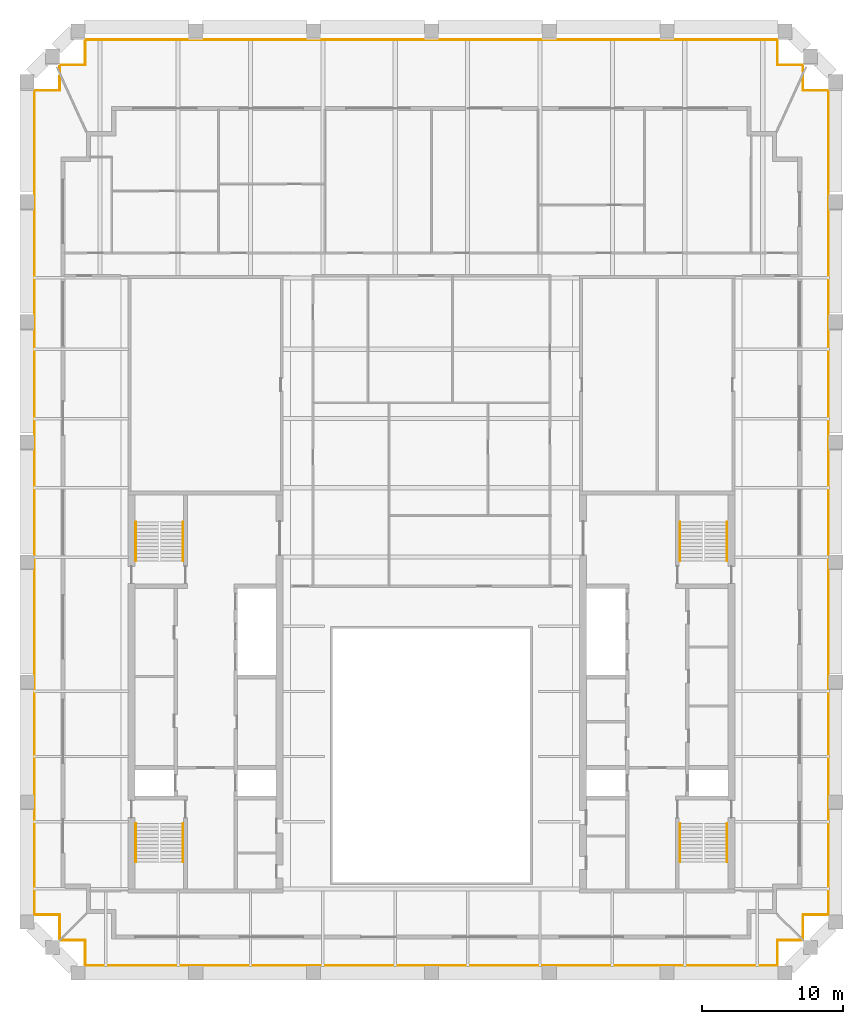
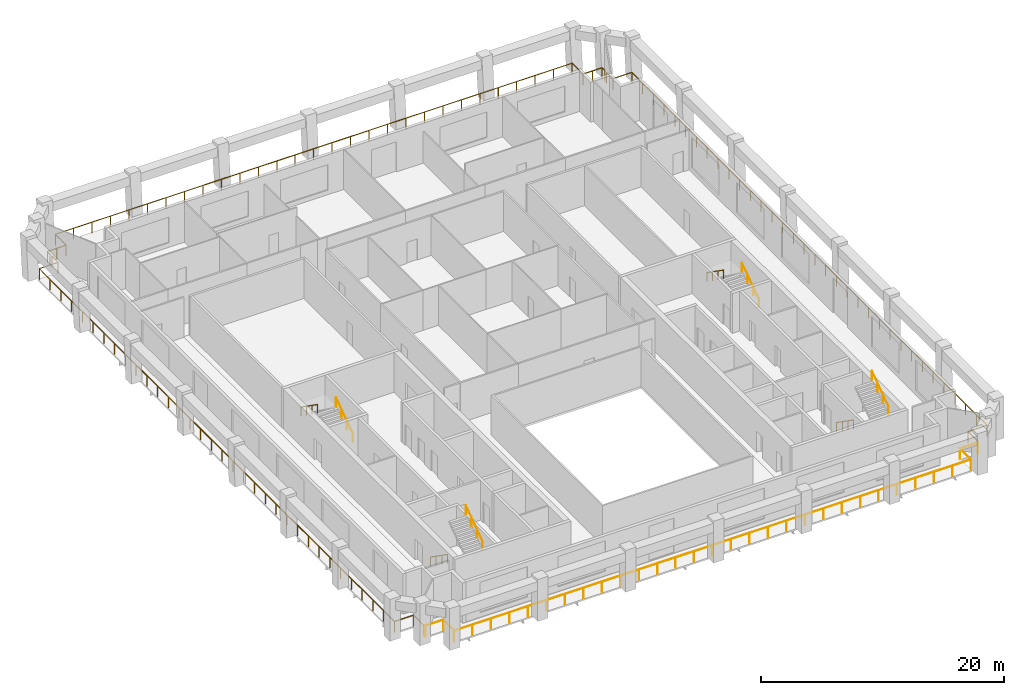
# One storey, part 8 of 8: 12 railings.
"""IFC4 building model written with IfcOpenShell, lengths in metres."""

from ifc_helpers import new_model, si_unit, direction, frame, origin, origin_2d, place, context, subcontext, project, spatial, circle, extrude, material, type_object, element, save


model = new_model("IFC4")

# Units and contexts
model_context = context("Model", 3, precision=1e-05, world=origin(), true_north=direction((0.0, 1.0)))
body_context = subcontext(model_context, "Body", "Model", "MODEL_VIEW")
ifc_project = project(units=[si_unit("LENGTHUNIT", "METRE"), si_unit("AREAUNIT", "SQUARE_METRE"), si_unit("VOLUMEUNIT", "CUBIC_METRE"), si_unit("PLANEANGLEUNIT", "RADIAN"), si_unit("MASSUNIT", "GRAM", prefix="KILO")], contexts=[model_context])

# Site, building, storey
site_placement = place(None, origin())
site = spatial("IfcSite", under=ifc_project, at=site_placement, CompositionType="ELEMENT")
building_placement = place(site_placement, origin())
building = spatial("IfcBuilding", under=site, at=building_placement, Name="Ogive Exchange Tower", CompositionType="ELEMENT")
storey_placement = place(building_placement, frame((0.0, 0.0, 334.199951171875)))
storey = spatial("IfcBuildingStorey", under=building, at=storey_placement, Name="L73", CompositionType="ELEMENT", Elevation=334.199951171875)

# Railings
ifc_material_1 = material(Name="Stainless steel 316", Category="steel")
railing_type_1 = type_object("IfcRailingType", Name="Guard 1100 stainless steel and glass", PredefinedType="GUARDRAIL", material=ifc_material_1)
railing_1_placement = place(storey_placement, frame((26.238037109375, -6.080078125, -0.050048828125)))
element("IfcRailing", 1, at=railing_1_placement, inside=storey, type_object=railing_type_1, Name="Loggia guard 1", PredefinedType="GUARDRAIL", context=body_context, shape_type="SweptSolid", body=[
    extrude(circle(Radius=0.02392578125, at=origin_2d()), frame((0.0, 0.0, 1.076171875), z_axis=(-1.0, 0.0, 0.0), x_axis=(0.0, -1.0, 0.0)), (0.0, 0.0, 1.0), 1.7080078125),
    extrude(circle(Radius=0.02392578125, at=origin_2d()), frame((-1.7080078125, 0.0, 1.076171875), z_axis=(0.0, -1.0, 0.0), x_axis=(1.0, 0.0, 0.0)), (0.0, 0.0, 1.0), 1.7998046875),
    extrude(circle(Radius=0.02392578125, at=origin_2d()), frame((-1.7080078125, -1.7998046875, 1.076171875), z_axis=(-1.0, 0.0, 0.0), x_axis=(0.0, -1.0, 0.0)), (0.0, 0.0, 1.0), 49.06005859375),
    extrude(circle(Radius=0.02392578125, at=origin_2d()), frame((-50.76806640625, -1.7998046875, 1.076171875), z_axis=(0.0, 1.0, 0.0), x_axis=(-1.0, 0.0, 0.0)), (0.0, 0.0, 1.0), 1.7998046875),
    extrude(circle(Radius=0.02392578125, at=origin_2d()), frame((-50.76806640625, 0.0, 1.076171875), z_axis=(-1.0, 0.0, 0.0), x_axis=(0.0, -1.0, 0.0)), (0.0, 0.0, 1.0), 1.7080078125),
    extrude(circle(Radius=0.02099609375, at=origin_2d()), origin(), (0.0, 0.0, 1.0), 1.052001953125),
    extrude(circle(Radius=0.02099609375, at=origin_2d()), frame((-1.7080078125, 0.0, 0.0)), (0.0, 0.0, 1.0), 1.052001953125),
    extrude(circle(Radius=0.02099609375, at=origin_2d()), frame((-1.7080078125, -1.7998046875, 0.0)), (0.0, 0.0, 1.0), 1.052001953125),
    extrude(circle(Radius=0.02099609375, at=origin_2d()), frame((-3.460205078125, -1.7998046875, 0.0)), (0.0, 0.0, 1.0), 1.052001953125),
    extrude(circle(Radius=0.02099609375, at=origin_2d()), frame((-5.21240234375, -1.7998046875, 0.0)), (0.0, 0.0, 1.0), 1.052001953125),
    extrude(circle(Radius=0.02099609375, at=origin_2d()), frame((-6.96435546875, -1.7998046875, 0.0)), (0.0, 0.0, 1.0), 1.052001953125),
    extrude(circle(Radius=0.02099609375, at=origin_2d()), frame((-8.716552734375, -1.7998046875, 0.0)), (0.0, 0.0, 1.0), 1.052001953125),
    extrude(circle(Radius=0.02099609375, at=origin_2d()), frame((-10.46875, -1.7998046875, 0.0)), (0.0, 0.0, 1.0), 1.052001953125),
    extrude(circle(Radius=0.02099609375, at=origin_2d()), frame((-12.220947265625, -1.7998046875, 0.0)), (0.0, 0.0, 1.0), 1.052001953125),
    extrude(circle(Radius=0.02099609375, at=origin_2d()), frame((-13.97314453125, -1.7998046875, 0.0)), (0.0, 0.0, 1.0), 1.052001953125),
    extrude(circle(Radius=0.02099609375, at=origin_2d()), frame((-15.72509765625, -1.7998046875, 0.0)), (0.0, 0.0, 1.0), 1.052001953125),
    extrude(circle(Radius=0.02099609375, at=origin_2d()), frame((-17.477294921875, -1.7998046875, 0.0)), (0.0, 0.0, 1.0), 1.052001953125),
    extrude(circle(Radius=0.02099609375, at=origin_2d()), frame((-19.2294921875, -1.7998046875, 0.0)), (0.0, 0.0, 1.0), 1.052001953125),
    extrude(circle(Radius=0.02099609375, at=origin_2d()), frame((-20.981689453125, -1.7998046875, 0.0)), (0.0, 0.0, 1.0), 1.052001953125),
    extrude(circle(Radius=0.02099609375, at=origin_2d()), frame((-22.733642578125, -1.7998046875, 0.0)), (0.0, 0.0, 1.0), 1.052001953125),
    extrude(circle(Radius=0.02099609375, at=origin_2d()), frame((-24.48583984375, -1.7998046875, 0.0)), (0.0, 0.0, 1.0), 1.052001953125),
    extrude(circle(Radius=0.02099609375, at=origin_2d()), frame((-26.238037109375, -1.7998046875, 0.0)), (0.0, 0.0, 1.0), 1.052001953125),
    extrude(circle(Radius=0.02099609375, at=origin_2d()), frame((-27.990234375, -1.7998046875, 0.0)), (0.0, 0.0, 1.0), 1.052001953125),
    extrude(circle(Radius=0.02099609375, at=origin_2d()), frame((-29.742431640625, -1.7998046875, 0.0)), (0.0, 0.0, 1.0), 1.052001953125),
    extrude(circle(Radius=0.02099609375, at=origin_2d()), frame((-31.494384765625, -1.7998046875, 0.0)), (0.0, 0.0, 1.0), 1.052001953125),
    extrude(circle(Radius=0.02099609375, at=origin_2d()), frame((-33.24658203125, -1.7998046875, 0.0)), (0.0, 0.0, 1.0), 1.052001953125),
    extrude(circle(Radius=0.02099609375, at=origin_2d()), frame((-34.998779296875, -1.7998046875, 0.0)), (0.0, 0.0, 1.0), 1.052001953125),
    extrude(circle(Radius=0.02099609375, at=origin_2d()), frame((-36.7509765625, -1.7998046875, 0.0)), (0.0, 0.0, 1.0), 1.052001953125),
    extrude(circle(Radius=0.02099609375, at=origin_2d()), frame((-38.5029296875, -1.7998046875, 0.0)), (0.0, 0.0, 1.0), 1.052001953125),
    extrude(circle(Radius=0.02099609375, at=origin_2d()), frame((-40.255126953125, -1.7998046875, 0.0)), (0.0, 0.0, 1.0), 1.052001953125),
    extrude(circle(Radius=0.02099609375, at=origin_2d()), frame((-42.00732421875, -1.7998046875, 0.0)), (0.0, 0.0, 1.0), 1.052001953125),
    extrude(circle(Radius=0.02099609375, at=origin_2d()), frame((-43.759521484375, -1.7998046875, 0.0)), (0.0, 0.0, 1.0), 1.052001953125),
    extrude(circle(Radius=0.02099609375, at=origin_2d()), frame((-45.51171875, -1.7998046875, 0.0)), (0.0, 0.0, 1.0), 1.052001953125),
    extrude(circle(Radius=0.02099609375, at=origin_2d()), frame((-47.263671875, -1.7998046875, 0.0)), (0.0, 0.0, 1.0), 1.052001953125),
    extrude(circle(Radius=0.02099609375, at=origin_2d()), frame((-49.015869140625, -1.7998046875, 0.0)), (0.0, 0.0, 1.0), 1.052001953125),
    extrude(circle(Radius=0.02099609375, at=origin_2d()), frame((-50.76806640625, -1.7998046875, 0.0)), (0.0, 0.0, 1.0), 1.052001953125),
    extrude(circle(Radius=0.02099609375, at=origin_2d()), frame((-50.76806640625, 0.0, 0.0)), (0.0, 0.0, 1.0), 1.052001953125),
    extrude(circle(Radius=0.02099609375, at=origin_2d()), frame((-52.47607421875, 0.0, 0.0)), (0.0, 0.0, 1.0), 1.052001953125),
])
railing_2_placement = place(storey_placement, frame((-26.330078125, -5.988037109375, -0.050048828125)))
element("IfcRailing", 2, at=railing_2_placement, inside=storey, type_object=railing_type_1, Name="Loggia guard 2", PredefinedType="GUARDRAIL", context=body_context, shape_type="SweptSolid", body=[
    extrude(circle(Radius=0.02392578125, at=origin_2d()), frame((0.0, 0.0, 1.076171875), z_axis=(0.0, 1.0, 0.0), x_axis=(-1.0, 0.0, 0.0)), (0.0, 0.0, 1.0), 1.7080078125),
    extrude(circle(Radius=0.02392578125, at=origin_2d()), frame((0.0, 1.7080078125, 1.076171875), z_axis=(-1.0, 0.0, 0.0), x_axis=(0.0, -1.0, 0.0)), (0.0, 0.0, 1.0), 1.7998046875),
    extrude(circle(Radius=0.02392578125, at=origin_2d()), frame((-1.7998046875, 1.7080078125, 1.076171875), z_axis=(0.0, 1.0, 0.0), x_axis=(-1.0, 0.0, 0.0)), (0.0, 0.0, 1.0), 58.396484375),
    extrude(circle(Radius=0.02392578125, at=origin_2d()), frame((-1.7998046875, 60.1044921875, 1.076171875), z_axis=(1.0, 0.0, 0.0), x_axis=(0.0, 1.0, 0.0)), (0.0, 0.0, 1.0), 1.7998046875),
    extrude(circle(Radius=0.02392578125, at=origin_2d()), frame((0.0, 60.1044921875, 1.076171875), z_axis=(0.0, 1.0, 0.0), x_axis=(-1.0, 0.0, 0.0)), (0.0, 0.0, 1.0), 1.029296875),
    extrude(circle(Radius=0.02099609375, at=origin_2d()), origin(), (0.0, 0.0, 1.0), 1.052001953125),
    extrude(circle(Radius=0.02099609375, at=origin_2d()), frame((0.0, 1.7080078125, 0.0)), (0.0, 0.0, 1.0), 1.052001953125),
    extrude(circle(Radius=0.02099609375, at=origin_2d()), frame((-1.7998046875, 1.7080078125, 0.0)), (0.0, 0.0, 1.0), 1.052001953125),
    extrude(circle(Radius=0.02099609375, at=origin_2d()), frame((-1.7998046875, 3.4775390625, 0.0)), (0.0, 0.0, 1.0), 1.052001953125),
    extrude(circle(Radius=0.02099609375, at=origin_2d()), frame((-1.7998046875, 5.2470703125, 0.0)), (0.0, 0.0, 1.0), 1.052001953125),
    extrude(circle(Radius=0.02099609375, at=origin_2d()), frame((-1.7998046875, 7.016845703125, 0.0)), (0.0, 0.0, 1.0), 1.052001953125),
    extrude(circle(Radius=0.02099609375, at=origin_2d()), frame((-1.7998046875, 8.786376953125, 0.0)), (0.0, 0.0, 1.0), 1.052001953125),
    extrude(circle(Radius=0.02099609375, at=origin_2d()), frame((-1.7998046875, 10.555908203125, 0.0)), (0.0, 0.0, 1.0), 1.052001953125),
    extrude(circle(Radius=0.02099609375, at=origin_2d()), frame((-1.7998046875, 12.325439453125, 0.0)), (0.0, 0.0, 1.0), 1.052001953125),
    extrude(circle(Radius=0.02099609375, at=origin_2d()), frame((-1.7998046875, 14.09521484375, 0.0)), (0.0, 0.0, 1.0), 1.052001953125),
    extrude(circle(Radius=0.02099609375, at=origin_2d()), frame((-1.7998046875, 15.86474609375, 0.0)), (0.0, 0.0, 1.0), 1.052001953125),
    extrude(circle(Radius=0.02099609375, at=origin_2d()), frame((-1.7998046875, 17.63427734375, 0.0)), (0.0, 0.0, 1.0), 1.052001953125),
    extrude(circle(Radius=0.02099609375, at=origin_2d()), frame((-1.7998046875, 19.40380859375, 0.0)), (0.0, 0.0, 1.0), 1.052001953125),
    extrude(circle(Radius=0.02099609375, at=origin_2d()), frame((-1.7998046875, 21.173583984375, 0.0)), (0.0, 0.0, 1.0), 1.052001953125),
    extrude(circle(Radius=0.02099609375, at=origin_2d()), frame((-1.7998046875, 22.943115234375, 0.0)), (0.0, 0.0, 1.0), 1.052001953125),
    extrude(circle(Radius=0.02099609375, at=origin_2d()), frame((-1.7998046875, 24.712646484375, 0.0)), (0.0, 0.0, 1.0), 1.052001953125),
    extrude(circle(Radius=0.02099609375, at=origin_2d()), frame((-1.7998046875, 26.482177734375, 0.0)), (0.0, 0.0, 1.0), 1.052001953125),
    extrude(circle(Radius=0.02099609375, at=origin_2d()), frame((-1.7998046875, 28.251953125, 0.0)), (0.0, 0.0, 1.0), 1.052001953125),
    extrude(circle(Radius=0.02099609375, at=origin_2d()), frame((-1.7998046875, 30.021484375, 0.0)), (0.0, 0.0, 1.0), 1.052001953125),
    extrude(circle(Radius=0.02099609375, at=origin_2d()), frame((-1.7998046875, 31.791015625, 0.0)), (0.0, 0.0, 1.0), 1.052001953125),
    extrude(circle(Radius=0.02099609375, at=origin_2d()), frame((-1.7998046875, 33.560546875, 0.0)), (0.0, 0.0, 1.0), 1.052001953125),
    extrude(circle(Radius=0.02099609375, at=origin_2d()), frame((-1.7998046875, 35.330322265625, 0.0)), (0.0, 0.0, 1.0), 1.052001953125),
    extrude(circle(Radius=0.02099609375, at=origin_2d()), frame((-1.7998046875, 37.099853515625, 0.0)), (0.0, 0.0, 1.0), 1.052001953125),
    extrude(circle(Radius=0.02099609375, at=origin_2d()), frame((-1.7998046875, 38.869384765625, 0.0)), (0.0, 0.0, 1.0), 1.052001953125),
    extrude(circle(Radius=0.02099609375, at=origin_2d()), frame((-1.7998046875, 40.638916015625, 0.0)), (0.0, 0.0, 1.0), 1.052001953125),
    extrude(circle(Radius=0.02099609375, at=origin_2d()), frame((-1.7998046875, 42.40869140625, 0.0)), (0.0, 0.0, 1.0), 1.052001953125),
    extrude(circle(Radius=0.02099609375, at=origin_2d()), frame((-1.7998046875, 44.17822265625, 0.0)), (0.0, 0.0, 1.0), 1.052001953125),
    extrude(circle(Radius=0.02099609375, at=origin_2d()), frame((-1.7998046875, 45.94775390625, 0.0)), (0.0, 0.0, 1.0), 1.052001953125),
    extrude(circle(Radius=0.02099609375, at=origin_2d()), frame((-1.7998046875, 47.71728515625, 0.0)), (0.0, 0.0, 1.0), 1.052001953125),
    extrude(circle(Radius=0.02099609375, at=origin_2d()), frame((-1.7998046875, 49.487060546875, 0.0)), (0.0, 0.0, 1.0), 1.052001953125),
    extrude(circle(Radius=0.02099609375, at=origin_2d()), frame((-1.7998046875, 51.256591796875, 0.0)), (0.0, 0.0, 1.0), 1.052001953125),
    extrude(circle(Radius=0.02099609375, at=origin_2d()), frame((-1.7998046875, 53.026123046875, 0.0)), (0.0, 0.0, 1.0), 1.052001953125),
    extrude(circle(Radius=0.02099609375, at=origin_2d()), frame((-1.7998046875, 54.795654296875, 0.0)), (0.0, 0.0, 1.0), 1.052001953125),
    extrude(circle(Radius=0.02099609375, at=origin_2d()), frame((-1.7998046875, 56.5654296875, 0.0)), (0.0, 0.0, 1.0), 1.052001953125),
    extrude(circle(Radius=0.02099609375, at=origin_2d()), frame((-1.7998046875, 58.3349609375, 0.0)), (0.0, 0.0, 1.0), 1.052001953125),
    extrude(circle(Radius=0.02099609375, at=origin_2d()), frame((-1.7998046875, 60.1044921875, 0.0)), (0.0, 0.0, 1.0), 1.052001953125),
    extrude(circle(Radius=0.02099609375, at=origin_2d()), frame((0.0, 60.1044921875, 0.0)), (0.0, 0.0, 1.0), 1.052001953125),
    extrude(circle(Radius=0.02099609375, at=origin_2d()), frame((0.0, 61.1337890625, 0.0)), (0.0, 0.0, 1.0), 1.052001953125),
])
railing_3_placement = place(storey_placement, frame((-26.330078125, 55.457763671875, -0.050048828125)))
element("IfcRailing", 3, at=railing_3_placement, inside=storey, type_object=railing_type_1, Name="Loggia guard 3", PredefinedType="GUARDRAIL", context=body_context, shape_type="SweptSolid", body=[
    extrude(circle(Radius=0.02392578125, at=origin_2d()), frame((0.0, 0.0, 1.076171875), z_axis=(0.0, 1.0, 0.0), x_axis=(-1.0, 0.0, 0.0)), (0.0, 0.0, 1.0), 0.458740234375),
    extrude(circle(Radius=0.02392578125, at=origin_2d()), frame((0.0, 0.458740234375, 1.076171875), z_axis=(1.0, 0.0, 0.0), x_axis=(0.0, 1.0, 0.0)), (0.0, 0.0, 1.0), 1.800048828125),
    extrude(circle(Radius=0.02392578125, at=origin_2d()), frame((1.800048828125, 0.458740234375, 1.076171875), z_axis=(0.0, 1.0, 0.0), x_axis=(-1.0, 0.0, 0.0)), (0.0, 0.0, 1.0), 1.7998046875),
    extrude(circle(Radius=0.02392578125, at=origin_2d()), frame((1.800048828125, 2.258544921875, 1.076171875), z_axis=(1.0, 0.0, 0.0), x_axis=(0.0, 1.0, 0.0)), (0.0, 0.0, 1.0), 49.06005859375),
    extrude(circle(Radius=0.02392578125, at=origin_2d()), frame((50.860107421875, 2.258544921875, 1.076171875), z_axis=(0.0, -1.0, 0.0), x_axis=(1.0, 0.0, 0.0)), (0.0, 0.0, 1.0), 1.7998046875),
    extrude(circle(Radius=0.02392578125, at=origin_2d()), frame((50.860107421875, 0.458740234375, 1.076171875), z_axis=(1.0, 0.0, 0.0), x_axis=(0.0, 1.0, 0.0)), (0.0, 0.0, 1.0), 1.800048828125),
    extrude(circle(Radius=0.02392578125, at=origin_2d()), frame((52.66015625, 0.458740234375, 1.076171875), z_axis=(0.0, -1.0, 0.0), x_axis=(1.0, 0.0, 0.0)), (0.0, 0.0, 1.0), 0.458740234375),
    extrude(circle(Radius=0.02099609375, at=origin_2d()), origin(), (0.0, 0.0, 1.0), 1.052001953125),
    extrude(circle(Radius=0.02099609375, at=origin_2d()), frame((0.0, 0.458740234375, 0.0)), (0.0, 0.0, 1.0), 1.052001953125),
    extrude(circle(Radius=0.02099609375, at=origin_2d()), frame((0.89990234375, 0.458740234375, 0.0)), (0.0, 0.0, 1.0), 1.052001953125),
    extrude(circle(Radius=0.02099609375, at=origin_2d()), frame((1.800048828125, 0.458740234375, 0.0)), (0.0, 0.0, 1.0), 1.052001953125),
    extrude(circle(Radius=0.02099609375, at=origin_2d()), frame((1.800048828125, 2.258544921875, 0.0)), (0.0, 0.0, 1.0), 1.052001953125),
    extrude(circle(Radius=0.02099609375, at=origin_2d()), frame((3.55224609375, 2.258544921875, 0.0)), (0.0, 0.0, 1.0), 1.052001953125),
    extrude(circle(Radius=0.02099609375, at=origin_2d()), frame((5.304443359375, 2.258544921875, 0.0)), (0.0, 0.0, 1.0), 1.052001953125),
    extrude(circle(Radius=0.02099609375, at=origin_2d()), frame((7.056396484375, 2.258544921875, 0.0)), (0.0, 0.0, 1.0), 1.052001953125),
    extrude(circle(Radius=0.02099609375, at=origin_2d()), frame((8.80859375, 2.258544921875, 0.0)), (0.0, 0.0, 1.0), 1.052001953125),
    extrude(circle(Radius=0.02099609375, at=origin_2d()), frame((10.560791015625, 2.258544921875, 0.0)), (0.0, 0.0, 1.0), 1.052001953125),
    extrude(circle(Radius=0.02099609375, at=origin_2d()), frame((12.31298828125, 2.258544921875, 0.0)), (0.0, 0.0, 1.0), 1.052001953125),
    extrude(circle(Radius=0.02099609375, at=origin_2d()), frame((14.06494140625, 2.258544921875, 0.0)), (0.0, 0.0, 1.0), 1.052001953125),
    extrude(circle(Radius=0.02099609375, at=origin_2d()), frame((15.817138671875, 2.258544921875, 0.0)), (0.0, 0.0, 1.0), 1.052001953125),
    extrude(circle(Radius=0.02099609375, at=origin_2d()), frame((17.5693359375, 2.258544921875, 0.0)), (0.0, 0.0, 1.0), 1.052001953125),
    extrude(circle(Radius=0.02099609375, at=origin_2d()), frame((19.321533203125, 2.258544921875, 0.0)), (0.0, 0.0, 1.0), 1.052001953125),
    extrude(circle(Radius=0.02099609375, at=origin_2d()), frame((21.07373046875, 2.258544921875, 0.0)), (0.0, 0.0, 1.0), 1.052001953125),
    extrude(circle(Radius=0.02099609375, at=origin_2d()), frame((22.82568359375, 2.258544921875, 0.0)), (0.0, 0.0, 1.0), 1.052001953125),
    extrude(circle(Radius=0.02099609375, at=origin_2d()), frame((24.577880859375, 2.258544921875, 0.0)), (0.0, 0.0, 1.0), 1.052001953125),
    extrude(circle(Radius=0.02099609375, at=origin_2d()), frame((26.330078125, 2.258544921875, 0.0)), (0.0, 0.0, 1.0), 1.052001953125),
    extrude(circle(Radius=0.02099609375, at=origin_2d()), frame((28.082275390625, 2.258544921875, 0.0)), (0.0, 0.0, 1.0), 1.052001953125),
    extrude(circle(Radius=0.02099609375, at=origin_2d()), frame((29.83447265625, 2.258544921875, 0.0)), (0.0, 0.0, 1.0), 1.052001953125),
    extrude(circle(Radius=0.02099609375, at=origin_2d()), frame((31.58642578125, 2.258544921875, 0.0)), (0.0, 0.0, 1.0), 1.052001953125),
    extrude(circle(Radius=0.02099609375, at=origin_2d()), frame((33.338623046875, 2.258544921875, 0.0)), (0.0, 0.0, 1.0), 1.052001953125),
    extrude(circle(Radius=0.02099609375, at=origin_2d()), frame((35.0908203125, 2.258544921875, 0.0)), (0.0, 0.0, 1.0), 1.052001953125),
    extrude(circle(Radius=0.02099609375, at=origin_2d()), frame((36.843017578125, 2.258544921875, 0.0)), (0.0, 0.0, 1.0), 1.052001953125),
    extrude(circle(Radius=0.02099609375, at=origin_2d()), frame((38.59521484375, 2.258544921875, 0.0)), (0.0, 0.0, 1.0), 1.052001953125),
    extrude(circle(Radius=0.02099609375, at=origin_2d()), frame((40.34716796875, 2.258544921875, 0.0)), (0.0, 0.0, 1.0), 1.052001953125),
    extrude(circle(Radius=0.02099609375, at=origin_2d()), frame((42.099365234375, 2.258544921875, 0.0)), (0.0, 0.0, 1.0), 1.052001953125),
    extrude(circle(Radius=0.02099609375, at=origin_2d()), frame((43.8515625, 2.258544921875, 0.0)), (0.0, 0.0, 1.0), 1.052001953125),
    extrude(circle(Radius=0.02099609375, at=origin_2d()), frame((45.603759765625, 2.258544921875, 0.0)), (0.0, 0.0, 1.0), 1.052001953125),
    extrude(circle(Radius=0.02099609375, at=origin_2d()), frame((47.355712890625, 2.258544921875, 0.0)), (0.0, 0.0, 1.0), 1.052001953125),
    extrude(circle(Radius=0.02099609375, at=origin_2d()), frame((49.10791015625, 2.258544921875, 0.0)), (0.0, 0.0, 1.0), 1.052001953125),
    extrude(circle(Radius=0.02099609375, at=origin_2d()), frame((50.860107421875, 2.258544921875, 0.0)), (0.0, 0.0, 1.0), 1.052001953125),
    extrude(circle(Radius=0.02099609375, at=origin_2d()), frame((50.860107421875, 0.458740234375, 0.0)), (0.0, 0.0, 1.0), 1.052001953125),
    extrude(circle(Radius=0.02099609375, at=origin_2d()), frame((51.76025390625, 0.458740234375, 0.0)), (0.0, 0.0, 1.0), 1.052001953125),
    extrude(circle(Radius=0.02099609375, at=origin_2d()), frame((52.66015625, 0.458740234375, 0.0)), (0.0, 0.0, 1.0), 1.052001953125),
    extrude(circle(Radius=0.02099609375, at=origin_2d()), frame((52.66015625, 0.0, 0.0)), (0.0, 0.0, 1.0), 1.052001953125),
])
railing_4_placement = place(storey_placement, frame((26.330078125, 55.145751953125, -0.050048828125)))
element("IfcRailing", 4, at=railing_4_placement, inside=storey, type_object=railing_type_1, Name="Loggia guard 4", PredefinedType="GUARDRAIL", context=body_context, shape_type="SweptSolid", body=[
    extrude(circle(Radius=0.02392578125, at=origin_2d()), frame((0.0, 0.0, 1.076171875), z_axis=(0.0, -1.0, 0.0), x_axis=(1.0, 0.0, 0.0)), (0.0, 0.0, 1.0), 1.029296875),
    extrude(circle(Radius=0.02392578125, at=origin_2d()), frame((0.0, -1.029296875, 1.076171875), z_axis=(1.0, 0.0, 0.0), x_axis=(0.0, 1.0, 0.0)), (0.0, 0.0, 1.0), 1.7998046875),
    extrude(circle(Radius=0.02392578125, at=origin_2d()), frame((1.7998046875, -1.029296875, 1.076171875), z_axis=(0.0, -1.0, 0.0), x_axis=(1.0, 0.0, 0.0)), (0.0, 0.0, 1.0), 58.396484375),
    extrude(circle(Radius=0.02392578125, at=origin_2d()), frame((1.7998046875, -59.42578125, 1.076171875), z_axis=(-1.0, 0.0, 0.0), x_axis=(0.0, -1.0, 0.0)), (0.0, 0.0, 1.0), 1.7998046875),
    extrude(circle(Radius=0.02392578125, at=origin_2d()), frame((0.0, -59.42578125, 1.076171875), z_axis=(0.0, -1.0, 0.0), x_axis=(1.0, 0.0, 0.0)), (0.0, 0.0, 1.0), 1.7080078125),
    extrude(circle(Radius=0.02099609375, at=origin_2d()), origin(), (0.0, 0.0, 1.0), 1.052001953125),
    extrude(circle(Radius=0.02099609375, at=origin_2d()), frame((0.0, -1.029296875, 0.0)), (0.0, 0.0, 1.0), 1.052001953125),
    extrude(circle(Radius=0.02099609375, at=origin_2d()), frame((1.7998046875, -1.029296875, 0.0)), (0.0, 0.0, 1.0), 1.052001953125),
    extrude(circle(Radius=0.02099609375, at=origin_2d()), frame((1.7998046875, -2.798828125, 0.0)), (0.0, 0.0, 1.0), 1.052001953125),
    extrude(circle(Radius=0.02099609375, at=origin_2d()), frame((1.7998046875, -4.568359375, 0.0)), (0.0, 0.0, 1.0), 1.052001953125),
    extrude(circle(Radius=0.02099609375, at=origin_2d()), frame((1.7998046875, -6.338134765625, 0.0)), (0.0, 0.0, 1.0), 1.052001953125),
    extrude(circle(Radius=0.02099609375, at=origin_2d()), frame((1.7998046875, -8.107666015625, 0.0)), (0.0, 0.0, 1.0), 1.052001953125),
    extrude(circle(Radius=0.02099609375, at=origin_2d()), frame((1.7998046875, -9.877197265625, 0.0)), (0.0, 0.0, 1.0), 1.052001953125),
    extrude(circle(Radius=0.02099609375, at=origin_2d()), frame((1.7998046875, -11.646728515625, 0.0)), (0.0, 0.0, 1.0), 1.052001953125),
    extrude(circle(Radius=0.02099609375, at=origin_2d()), frame((1.7998046875, -13.41650390625, 0.0)), (0.0, 0.0, 1.0), 1.052001953125),
    extrude(circle(Radius=0.02099609375, at=origin_2d()), frame((1.7998046875, -15.18603515625, 0.0)), (0.0, 0.0, 1.0), 1.052001953125),
    extrude(circle(Radius=0.02099609375, at=origin_2d()), frame((1.7998046875, -16.95556640625, 0.0)), (0.0, 0.0, 1.0), 1.052001953125),
    extrude(circle(Radius=0.02099609375, at=origin_2d()), frame((1.7998046875, -18.72509765625, 0.0)), (0.0, 0.0, 1.0), 1.052001953125),
    extrude(circle(Radius=0.02099609375, at=origin_2d()), frame((1.7998046875, -20.494873046875, 0.0)), (0.0, 0.0, 1.0), 1.052001953125),
    extrude(circle(Radius=0.02099609375, at=origin_2d()), frame((1.7998046875, -22.264404296875, 0.0)), (0.0, 0.0, 1.0), 1.052001953125),
    extrude(circle(Radius=0.02099609375, at=origin_2d()), frame((1.7998046875, -24.033935546875, 0.0)), (0.0, 0.0, 1.0), 1.052001953125),
    extrude(circle(Radius=0.02099609375, at=origin_2d()), frame((1.7998046875, -25.803466796875, 0.0)), (0.0, 0.0, 1.0), 1.052001953125),
    extrude(circle(Radius=0.02099609375, at=origin_2d()), frame((1.7998046875, -27.5732421875, 0.0)), (0.0, 0.0, 1.0), 1.052001953125),
    extrude(circle(Radius=0.02099609375, at=origin_2d()), frame((1.7998046875, -29.3427734375, 0.0)), (0.0, 0.0, 1.0), 1.052001953125),
    extrude(circle(Radius=0.02099609375, at=origin_2d()), frame((1.7998046875, -31.1123046875, 0.0)), (0.0, 0.0, 1.0), 1.052001953125),
    extrude(circle(Radius=0.02099609375, at=origin_2d()), frame((1.7998046875, -32.8818359375, 0.0)), (0.0, 0.0, 1.0), 1.052001953125),
    extrude(circle(Radius=0.02099609375, at=origin_2d()), frame((1.7998046875, -34.651611328125, 0.0)), (0.0, 0.0, 1.0), 1.052001953125),
    extrude(circle(Radius=0.02099609375, at=origin_2d()), frame((1.7998046875, -36.421142578125, 0.0)), (0.0, 0.0, 1.0), 1.052001953125),
    extrude(circle(Radius=0.02099609375, at=origin_2d()), frame((1.7998046875, -38.190673828125, 0.0)), (0.0, 0.0, 1.0), 1.052001953125),
    extrude(circle(Radius=0.02099609375, at=origin_2d()), frame((1.7998046875, -39.960205078125, 0.0)), (0.0, 0.0, 1.0), 1.052001953125),
    extrude(circle(Radius=0.02099609375, at=origin_2d()), frame((1.7998046875, -41.72998046875, 0.0)), (0.0, 0.0, 1.0), 1.052001953125),
    extrude(circle(Radius=0.02099609375, at=origin_2d()), frame((1.7998046875, -43.49951171875, 0.0)), (0.0, 0.0, 1.0), 1.052001953125),
    extrude(circle(Radius=0.02099609375, at=origin_2d()), frame((1.7998046875, -45.26904296875, 0.0)), (0.0, 0.0, 1.0), 1.052001953125),
    extrude(circle(Radius=0.02099609375, at=origin_2d()), frame((1.7998046875, -47.03857421875, 0.0)), (0.0, 0.0, 1.0), 1.052001953125),
    extrude(circle(Radius=0.02099609375, at=origin_2d()), frame((1.7998046875, -48.808349609375, 0.0)), (0.0, 0.0, 1.0), 1.052001953125),
    extrude(circle(Radius=0.02099609375, at=origin_2d()), frame((1.7998046875, -50.577880859375, 0.0)), (0.0, 0.0, 1.0), 1.052001953125),
    extrude(circle(Radius=0.02099609375, at=origin_2d()), frame((1.7998046875, -52.347412109375, 0.0)), (0.0, 0.0, 1.0), 1.052001953125),
    extrude(circle(Radius=0.02099609375, at=origin_2d()), frame((1.7998046875, -54.116943359375, 0.0)), (0.0, 0.0, 1.0), 1.052001953125),
    extrude(circle(Radius=0.02099609375, at=origin_2d()), frame((1.7998046875, -55.88671875, 0.0)), (0.0, 0.0, 1.0), 1.052001953125),
    extrude(circle(Radius=0.02099609375, at=origin_2d()), frame((1.7998046875, -57.65625, 0.0)), (0.0, 0.0, 1.0), 1.052001953125),
    extrude(circle(Radius=0.02099609375, at=origin_2d()), frame((1.7998046875, -59.42578125, 0.0)), (0.0, 0.0, 1.0), 1.052001953125),
    extrude(circle(Radius=0.02099609375, at=origin_2d()), frame((0.0, -59.42578125, 0.0)), (0.0, 0.0, 1.0), 1.052001953125),
    extrude(circle(Radius=0.02099609375, at=origin_2d()), frame((0.0, -61.1337890625, 0.0)), (0.0, 0.0, 1.0), 1.052001953125),
])
ifc_material_2 = material(Name="Stainless steel", Category="steel")
railing_type_2 = type_object("IfcRailingType", Name="Stair handrail 900", PredefinedType="HANDRAIL", material=ifc_material_2)
railing_5_placement = place(storey_placement, frame((-20.949951171875, 2.199951171875, 0.175048828125)))
element("IfcRailing", 5, at=railing_5_placement, inside=storey, type_object=railing_type_2, Name="L73 ST1 stair handrail 1", PredefinedType="HANDRAIL", context=body_context, shape_type="SweptSolid", body=[
    extrude(circle(Radius=0.02392578125, at=origin_2d()), frame((0.0, 0.0, 0.8759765625), z_axis=(0.0, -0.819225086817, 0.573472106672), x_axis=(1.0, 0.0, 0.0)), (0.0, 0.0, 1.0), 3.35693359375),
    extrude(circle(Radius=0.02099609375, at=origin_2d()), origin(), (0.0, 0.0, 1.0), 0.851806640625),
    extrude(circle(Radius=0.02099609375, at=origin_2d()), frame((0.0, -0.916748046875, 0.6416015625)), (0.0, 0.0, 1.0), 0.851806640625),
    extrude(circle(Radius=0.02099609375, at=origin_2d()), frame((0.0, -1.833251953125, 1.283447265625)), (0.0, 0.0, 1.0), 0.851806640625),
    extrude(circle(Radius=0.02099609375, at=origin_2d()), frame((0.0, -2.75, 1.925048828125)), (0.0, 0.0, 1.0), 0.851806640625),
])
railing_6_placement = place(storey_placement, frame((-17.60009765625, -0.550048828125, 2.275146484375)))
element("IfcRailing", 6, at=railing_6_placement, inside=storey, type_object=railing_type_2, Name="L73 ST1 stair handrail 2", PredefinedType="HANDRAIL", context=body_context, shape_type="SweptSolid", body=[
    extrude(circle(Radius=0.02392578125, at=origin_2d()), frame((0.0, 0.0, 0.8759765625), z_axis=(0.0, 0.819259255306, 0.573423292687), x_axis=(-1.0, 0.0, 0.0)), (0.0, 0.0, 1.0), 3.356689453125),
    extrude(circle(Radius=0.02099609375, at=origin_2d()), origin(), (0.0, 0.0, 1.0), 0.851806640625),
    extrude(circle(Radius=0.02099609375, at=origin_2d()), frame((0.0, 0.916748046875, 0.6416015625)), (0.0, 0.0, 1.0), 0.851806640625),
    extrude(circle(Radius=0.02099609375, at=origin_2d()), frame((0.0, 1.833251953125, 1.283203125)), (0.0, 0.0, 1.0), 0.851806640625),
    extrude(circle(Radius=0.02099609375, at=origin_2d()), frame((0.0, 2.75, 1.9248046875)), (0.0, 0.0, 1.0), 0.851806640625),
])
railing_7_placement = place(storey_placement, frame((-17.60009765625, 20.800048828125, 0.175048828125)))
element("IfcRailing", 7, at=railing_7_placement, inside=storey, type_object=railing_type_2, Name="L73 ST2 stair handrail 1", PredefinedType="HANDRAIL", context=body_context, shape_type="SweptSolid", body=[
    extrude(circle(Radius=0.02392578125, at=origin_2d()), frame((0.0, 0.0, 0.8759765625), z_axis=(0.0, 0.819225086817, 0.573472106672), x_axis=(-1.0, 0.0, 0.0)), (0.0, 0.0, 1.0), 3.35693359375),
    extrude(circle(Radius=0.02099609375, at=origin_2d()), origin(), (0.0, 0.0, 1.0), 0.851806640625),
    extrude(circle(Radius=0.02099609375, at=origin_2d()), frame((0.0, 0.916748046875, 0.6416015625)), (0.0, 0.0, 1.0), 0.851806640625),
    extrude(circle(Radius=0.02099609375, at=origin_2d()), frame((0.0, 1.833251953125, 1.283447265625)), (0.0, 0.0, 1.0), 0.851806640625),
    extrude(circle(Radius=0.02099609375, at=origin_2d()), frame((0.0, 2.75, 1.925048828125)), (0.0, 0.0, 1.0), 0.851806640625),
])
railing_8_placement = place(storey_placement, frame((-20.949951171875, 23.550048828125, 2.275146484375)))
element("IfcRailing", 8, at=railing_8_placement, inside=storey, type_object=railing_type_2, Name="L73 ST2 stair handrail 2", PredefinedType="HANDRAIL", context=body_context, shape_type="SweptSolid", body=[
    extrude(circle(Radius=0.02392578125, at=origin_2d()), frame((0.0, 0.0, 0.8759765625), z_axis=(0.0, -0.819259255306, 0.573423292687), x_axis=(1.0, 0.0, 0.0)), (0.0, 0.0, 1.0), 3.356689453125),
    extrude(circle(Radius=0.02099609375, at=origin_2d()), origin(), (0.0, 0.0, 1.0), 0.851806640625),
    extrude(circle(Radius=0.02099609375, at=origin_2d()), frame((0.0, -0.916748046875, 0.6416015625)), (0.0, 0.0, 1.0), 0.851806640625),
    extrude(circle(Radius=0.02099609375, at=origin_2d()), frame((0.0, -1.833251953125, 1.283203125)), (0.0, 0.0, 1.0), 0.851806640625),
    extrude(circle(Radius=0.02099609375, at=origin_2d()), frame((0.0, -2.75, 1.9248046875)), (0.0, 0.0, 1.0), 0.851806640625),
])
railing_9_placement = place(storey_placement, frame((17.60009765625, 2.199951171875, 0.175048828125)))
element("IfcRailing", 9, at=railing_9_placement, inside=storey, type_object=railing_type_2, Name="L73 ST3 stair handrail 1", PredefinedType="HANDRAIL", context=body_context, shape_type="SweptSolid", body=[
    extrude(circle(Radius=0.02392578125, at=origin_2d()), frame((0.0, 0.0, 0.8759765625), z_axis=(0.0, -0.819225086817, 0.573472106672), x_axis=(1.0, 0.0, 0.0)), (0.0, 0.0, 1.0), 3.35693359375),
    extrude(circle(Radius=0.02099609375, at=origin_2d()), origin(), (0.0, 0.0, 1.0), 0.851806640625),
    extrude(circle(Radius=0.02099609375, at=origin_2d()), frame((0.0, -0.916748046875, 0.6416015625)), (0.0, 0.0, 1.0), 0.851806640625),
    extrude(circle(Radius=0.02099609375, at=origin_2d()), frame((0.0, -1.833251953125, 1.283447265625)), (0.0, 0.0, 1.0), 0.851806640625),
    extrude(circle(Radius=0.02099609375, at=origin_2d()), frame((0.0, -2.75, 1.925048828125)), (0.0, 0.0, 1.0), 0.851806640625),
])
railing_10_placement = place(storey_placement, frame((20.949951171875, -0.550048828125, 2.275146484375)))
element("IfcRailing", 10, at=railing_10_placement, inside=storey, type_object=railing_type_2, Name="L73 ST3 stair handrail 2", PredefinedType="HANDRAIL", context=body_context, shape_type="SweptSolid", body=[
    extrude(circle(Radius=0.02392578125, at=origin_2d()), frame((0.0, 0.0, 0.8759765625), z_axis=(0.0, 0.819259255306, 0.573423292687), x_axis=(-1.0, 0.0, 0.0)), (0.0, 0.0, 1.0), 3.356689453125),
    extrude(circle(Radius=0.02099609375, at=origin_2d()), origin(), (0.0, 0.0, 1.0), 0.851806640625),
    extrude(circle(Radius=0.02099609375, at=origin_2d()), frame((0.0, 0.916748046875, 0.6416015625)), (0.0, 0.0, 1.0), 0.851806640625),
    extrude(circle(Radius=0.02099609375, at=origin_2d()), frame((0.0, 1.833251953125, 1.283203125)), (0.0, 0.0, 1.0), 0.851806640625),
    extrude(circle(Radius=0.02099609375, at=origin_2d()), frame((0.0, 2.75, 1.9248046875)), (0.0, 0.0, 1.0), 0.851806640625),
])
railing_11_placement = place(storey_placement, frame((20.949951171875, 20.800048828125, 0.175048828125)))
element("IfcRailing", 11, at=railing_11_placement, inside=storey, type_object=railing_type_2, Name="L73 ST4 stair handrail 1", PredefinedType="HANDRAIL", context=body_context, shape_type="SweptSolid", body=[
    extrude(circle(Radius=0.02392578125, at=origin_2d()), frame((0.0, 0.0, 0.8759765625), z_axis=(0.0, 0.819225086817, 0.573472106672), x_axis=(-1.0, 0.0, 0.0)), (0.0, 0.0, 1.0), 3.35693359375),
    extrude(circle(Radius=0.02099609375, at=origin_2d()), origin(), (0.0, 0.0, 1.0), 0.851806640625),
    extrude(circle(Radius=0.02099609375, at=origin_2d()), frame((0.0, 0.916748046875, 0.6416015625)), (0.0, 0.0, 1.0), 0.851806640625),
    extrude(circle(Radius=0.02099609375, at=origin_2d()), frame((0.0, 1.833251953125, 1.283447265625)), (0.0, 0.0, 1.0), 0.851806640625),
    extrude(circle(Radius=0.02099609375, at=origin_2d()), frame((0.0, 2.75, 1.925048828125)), (0.0, 0.0, 1.0), 0.851806640625),
])
railing_12_placement = place(storey_placement, frame((17.60009765625, 23.550048828125, 2.275146484375)))
element("IfcRailing", 12, at=railing_12_placement, inside=storey, type_object=railing_type_2, Name="L73 ST4 stair handrail 2", PredefinedType="HANDRAIL", context=body_context, shape_type="SweptSolid", body=[
    extrude(circle(Radius=0.02392578125, at=origin_2d()), frame((0.0, 0.0, 0.8759765625), z_axis=(0.0, -0.819259255306, 0.573423292687), x_axis=(1.0, 0.0, 0.0)), (0.0, 0.0, 1.0), 3.356689453125),
    extrude(circle(Radius=0.02099609375, at=origin_2d()), origin(), (0.0, 0.0, 1.0), 0.851806640625),
    extrude(circle(Radius=0.02099609375, at=origin_2d()), frame((0.0, -0.916748046875, 0.6416015625)), (0.0, 0.0, 1.0), 0.851806640625),
    extrude(circle(Radius=0.02099609375, at=origin_2d()), frame((0.0, -1.833251953125, 1.283203125)), (0.0, 0.0, 1.0), 0.851806640625),
    extrude(circle(Radius=0.02099609375, at=origin_2d()), frame((0.0, -2.75, 1.9248046875)), (0.0, 0.0, 1.0), 0.851806640625),
])

save(model, "model.ifc")
